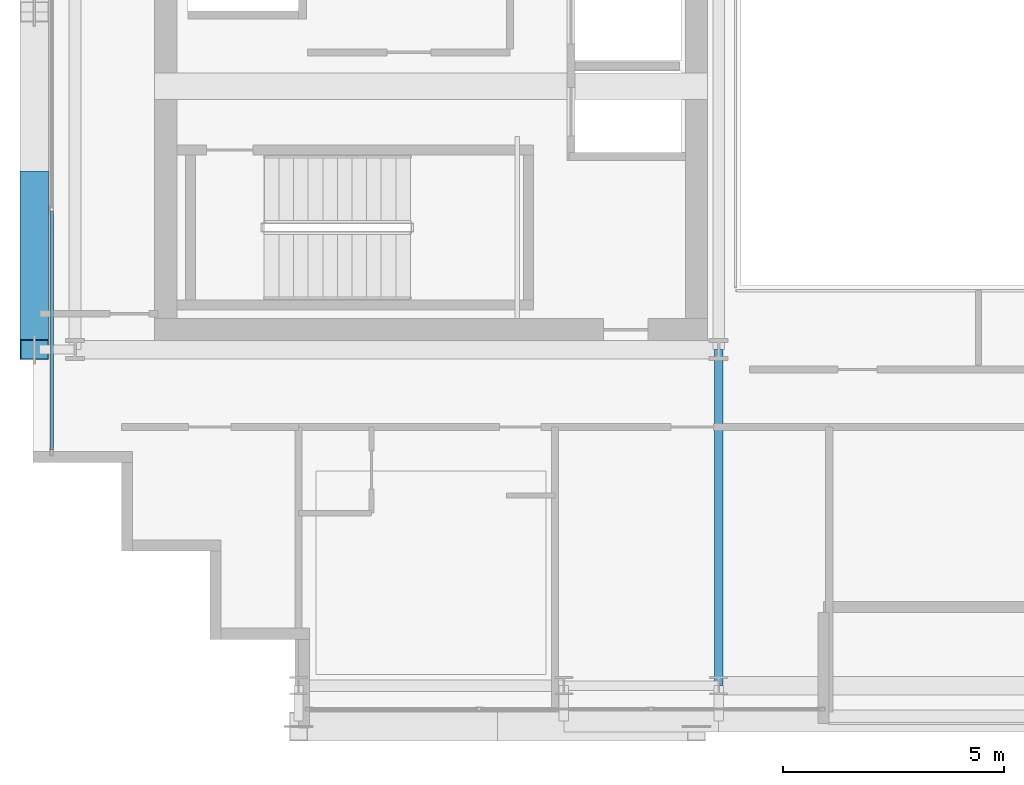
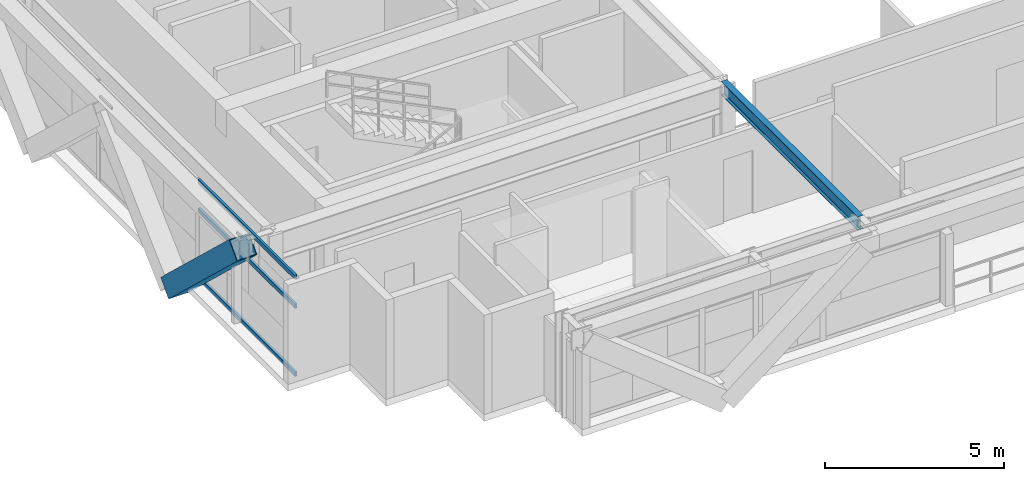
# One storey, part 3 of 32: 4 members, 1 beam, 1 element without a shape of its own.
"""IFC4 building model written with IfcOpenShell, lengths in metres."""

from ifc_helpers import new_model, si_unit, direction, frame, origin, origin_2d, place, context, subcontext, project, spatial, hollow_rectangle, i_section, extrude, source, transform, mapped, material, layer, layer_set, material_profile, profile_set, type_object, element, aggregate, save


model = new_model("IFC4")

# Units and contexts
model_context = context("Model", 3, precision=1e-05, world=origin(), true_north=direction((0.0, 1.0)))
body_context = subcontext(model_context, "Body", "Model", "MODEL_VIEW")
ifc_project = project(units=[si_unit("LENGTHUNIT", "METRE"), si_unit("AREAUNIT", "SQUARE_METRE"), si_unit("VOLUMEUNIT", "CUBIC_METRE"), si_unit("PLANEANGLEUNIT", "RADIAN"), si_unit("MASSUNIT", "GRAM", prefix="KILO")], contexts=[model_context])

# Site, building, storey
site_placement = place(None, origin())
site = spatial("IfcSite", under=ifc_project, at=site_placement, CompositionType="ELEMENT")
building_placement = place(site_placement, origin())
building = spatial("IfcBuilding", under=site, at=building_placement, Name="Ocotamira Hotel", CompositionType="ELEMENT")
storey_placement = place(building_placement, frame((0.0, 0.0, 184.800048828125)))
storey = spatial("IfcBuildingStorey", under=building, at=storey_placement, Name="L46", CompositionType="ELEMENT", Elevation=184.800048828125)

# Beam
ifc_material_1 = material(Name="Steel ASTM A992 Grade 50", Category="steel")
ifc_material_profile_1 = material_profile(ifc_material_1, i_section(OverallWidth=0.18994140625, OverallDepth=0.45703125, WebThickness=0.009033203125, FlangeThickness=0.014404296875, FilletRadius=0.010009765625, at=origin_2d()), Name="W18X50")
ifc_profile_set_1 = profile_set([ifc_material_profile_1], Name="Steel ASTM A992 Grade 50")
beam_type = type_object("IfcBeamType", Name="BM-SEC-W18X50", PredefinedType="JOIST", material=ifc_profile_set_1)
shared_shape_1 = source(origin(), body_context, "Body", "SweptSolid", [
    extrude(i_section(OverallWidth=0.18994140625, OverallDepth=0.45703125, WebThickness=0.009033203125, FlangeThickness=0.014404296875, FilletRadius=0.010009765625, at=origin_2d()), origin(), (0.0, 0.0, 1.0), 7.60009765625),
])
beam_placement = place(storey_placement, frame((23.5, 6.949951171875, 3.141357421875), z_axis=(0.0, 1.0, 0.0), x_axis=(-1.0, 0.0, 0.0)))
element("IfcBeam", 1, at=beam_placement, inside=storey, type_object=beam_type, Name="L46 Beam X23.5 Y6.95-14.55", PredefinedType="JOIST", context=body_context, shape_type="MappedRepresentation", body=[
    mapped(shared_shape_1, transform((0.0, 0.0, 0.0), scale=1.0)),
])

# Member
ifc_material_2 = material(Name="Pale-metal coated steel ASTM A913 Grade 65", Category="steel")
ifc_material_profile_2 = material_profile(ifc_material_2, hollow_rectangle(XDim=0.64990234375, YDim=0.64990234375, WallThickness=0.02197265625, at=origin_2d()), Name="BOX650X650X22")
ifc_profile_set_2 = profile_set([ifc_material_profile_2], Name="Pale-metal coated steel ASTM A913 Grade 65")
member_type_1 = type_object("IfcMemberType", Name="MEM-EXO-BOX650", PredefinedType="BRACE", material=ifc_profile_set_2)
shared_shape_2 = source(origin(), body_context, "Body", "SweptSolid", [
    extrude(hollow_rectangle(XDim=0.64990234375, YDim=0.64990234375, WallThickness=0.02197265625, at=origin_2d()), origin(), (0.0, 0.0, 1.0), 5.24658203125),
])
member_1_placement = place(storey_placement, frame((8.030029296875, 18.36669921875, -0.47998046875), z_axis=(0.0, -0.72746596067, 0.686143772154), x_axis=(1.0, 0.0, 0.0)))
element("IfcMember", 2, at=member_1_placement, inside=storey, type_object=member_type_1, Name="L46 Exoskeleton Diagrid W0.1", PredefinedType="BRACE", context=body_context, shape_type="MappedRepresentation", body=[
    mapped(shared_shape_2, transform((0.0, 0.0, 0.0), scale=1.0)),
])

# Curtain wall, members
ifc_material_3 = material(Name="Anodised pale-metal aluminium and solar glass", Category="aluminium")
ifc_layer = layer(ifc_material_3, 0.199951171875)
ifc_layer_set = layer_set([ifc_layer], Name="Anodised pale-metal aluminium and solar glass")
curtain_wall_type = type_object("IfcCurtainWallType", Name="CW-SYS4-Z3", PredefinedType="NOTDEFINED", material=ifc_layer_set)
curtain_wall_placement = place(storey_placement, origin())
curtain_wall = element("IfcCurtainWall", 3, at=curtain_wall_placement, inside=storey, type_object=curtain_wall_type, Name="L46 Curtain Wall CW-4 CW-L46-W", PredefinedType="NOTDEFINED")
ifc_material_4 = material(Name="Anodised pale-metal aluminium 6063-T6", Category="aluminium")
ifc_material_profile_3 = material_profile(ifc_material_4, hollow_rectangle(XDim=0.074951171875, YDim=0.14990234375, WallThickness=0.006103515625, at=origin_2d()), Name="HSS150X75X6")
ifc_profile_set_3 = profile_set([ifc_material_profile_3], Name="Anodised pale-metal aluminium 6063-T6")
member_type_2 = type_object("IfcMemberType", Name="CWT-150X75", PredefinedType="USERDEFINED", material=ifc_profile_set_3)
shared_shape_3 = source(origin(), body_context, "Body", "SweptSolid", [
    extrude(hollow_rectangle(XDim=0.074951171875, YDim=0.14990234375, WallThickness=0.006103515625, at=origin_2d()), origin(), (0.0, 0.0, 1.0), 5.39990234375),
])
member_2_placement = place(storey_placement, frame((8.419921875, 12.280029296875, 0.037353515625), z_axis=(0.0, 1.0, 0.0), x_axis=(-1.0, 0.0, 0.0)))
member_2 = element("IfcMember", 4, at=member_2_placement, type_object=member_type_2, Name="CW-4 transom 1.1", ObjectType="TRANSOM", PredefinedType="USERDEFINED", context=body_context, shape_type="MappedRepresentation", body=[
    mapped(shared_shape_3, transform((0.0, 0.0, 0.0), scale=1.0)),
])
member_3_placement = place(storey_placement, frame((8.419921875, 12.280029296875, 2.349853515625), z_axis=(0.0, 1.0, 0.0), x_axis=(-1.0, 0.0, 0.0)))
member_3 = element("IfcMember", 5, at=member_3_placement, type_object=member_type_2, Name="CW-4 transom 1.2", ObjectType="TRANSOM", PredefinedType="USERDEFINED", context=body_context, shape_type="MappedRepresentation", body=[
    mapped(shared_shape_3, transform((0.0, 0.0, 0.0), scale=1.0)),
])
member_4_placement = place(storey_placement, frame((8.419921875, 12.280029296875, 3.33251953125), z_axis=(0.0, 1.0, 0.0), x_axis=(-1.0, 0.0, 0.0)))
member_4 = element("IfcMember", 6, at=member_4_placement, type_object=member_type_2, Name="CW-4 transom 1.3", ObjectType="TRANSOM", PredefinedType="USERDEFINED", context=body_context, shape_type="MappedRepresentation", body=[
    mapped(shared_shape_3, transform((0.0, 0.0, 0.0), scale=1.0)),
])
aggregate(curtain_wall, [member_2, member_3, member_4])

save(model, "model.ifc")
